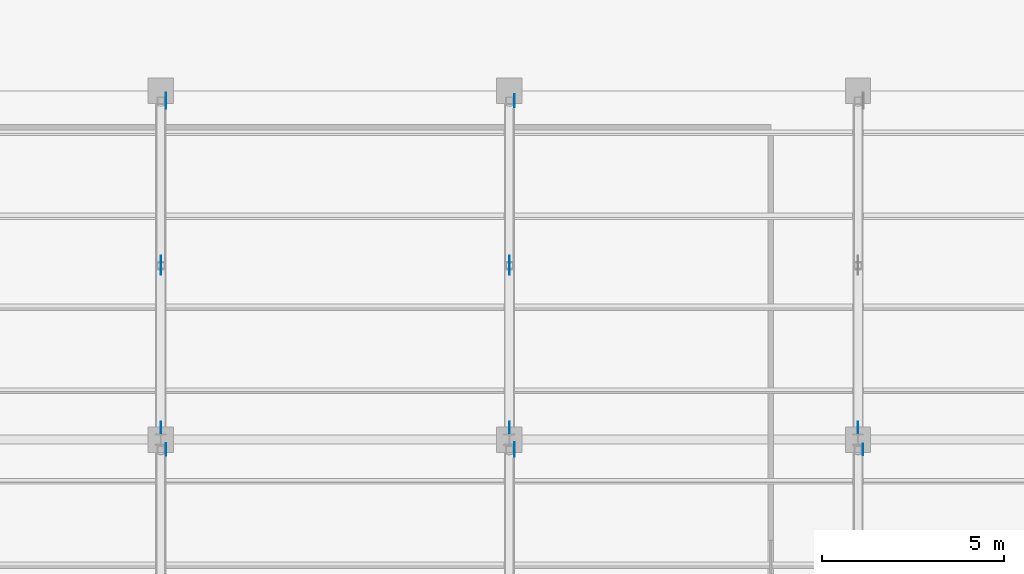
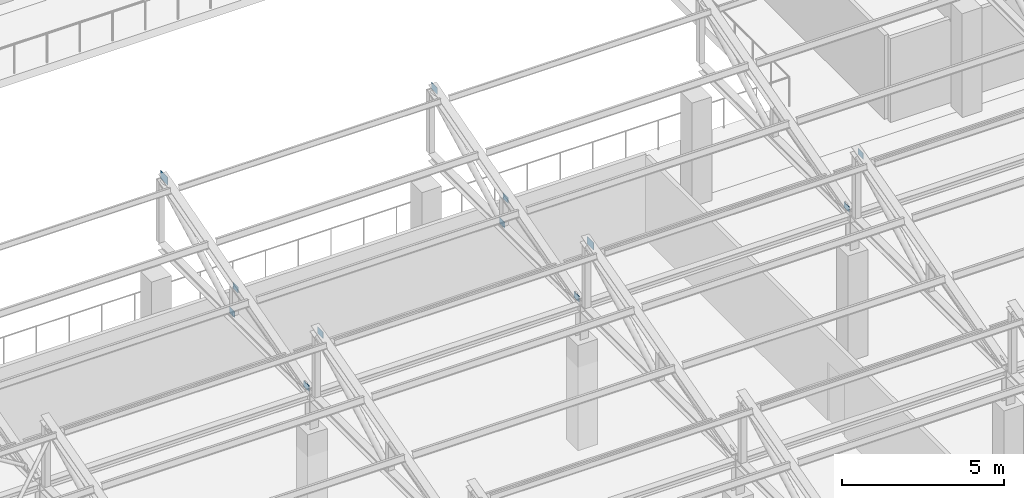
# One storey, part 51 of 71: 12 plates.
"""IFC4 building model written with IfcOpenShell, lengths in metres."""

from ifc_helpers import new_model, si_unit, direction, frame, origin, origin_2d, place, context, subcontext, project, spatial, rectangle, extrude, material, layer, layer_set, type_object, element, save


model = new_model("IFC4")

# Units and contexts
model_context = context("Model", 3, precision=1e-05, world=origin(), true_north=direction((0.0, 1.0)))
body_context = subcontext(model_context, "Body", "Model", "MODEL_VIEW")
ifc_project = project(units=[si_unit("LENGTHUNIT", "METRE"), si_unit("AREAUNIT", "SQUARE_METRE"), si_unit("VOLUMEUNIT", "CUBIC_METRE"), si_unit("PLANEANGLEUNIT", "RADIAN"), si_unit("MASSUNIT", "GRAM", prefix="KILO")], contexts=[model_context])

# Site, building, storey
site_placement = place(None, origin())
site = spatial("IfcSite", under=ifc_project, at=site_placement, CompositionType="ELEMENT")
building_placement = place(site_placement, origin())
building = spatial("IfcBuilding", under=site, at=building_placement, Name="Bempovik Park Faculty of Sciences", CompositionType="ELEMENT")
storey_placement = place(building_placement, frame((0.0, 0.0, 14.10009765625)))
storey = spatial("IfcBuildingStorey", under=building, at=storey_placement, Name="L03", CompositionType="ELEMENT", Elevation=14.10009765625)

# Plates
ifc_material = material(Name="Steel S355", Category="steel")
ifc_layer_1 = layer(ifc_material, 0.01611328125)
ifc_layer_set_1 = layer_set([ifc_layer_1], Name="Steel S355")
plate_type_1 = type_object("IfcPlateType", Name="PL-18 Steel Plate 400x280x16", PredefinedType="SHEET", material=ifc_layer_set_1)
plate_1_placement = place(storey_placement, frame((88.946044921875, 57.929931640625, 7.46435546875), z_axis=(0.0, 0.0, 1.0), x_axis=(1.0, 0.0, 0.0)))
element("IfcPlate", 1, at=plate_1_placement, inside=storey, type_object=plate_type_1, Name="Sawtooth Ridge Gusset Plate V1-B4-88.8", PredefinedType="SHEET", context=body_context, shape_type="SweptSolid", body=[
    extrude(rectangle(XDim=0.01611328125, YDim=0.39990234375, at=origin_2d()), origin(), (0.0, 0.0, 1.0), 0.280029296875),
])
ifc_layer_2 = layer(ifc_material, 0.01611328125)
ifc_layer_set_2 = layer_set([ifc_layer_2], Name="Steel S355")
plate_type_2 = type_object("IfcPlateType", Name="PL-19 Steel Plate 350x240x16", PredefinedType="USERDEFINED", material=ifc_layer_set_2)
plate_2_placement = place(storey_placement, frame((79.345947265625, 57.929931640625, 7.484375), z_axis=(0.0, 0.0, 1.0), x_axis=(1.0, 0.0, 0.0)))
element("IfcPlate", 2, at=plate_2_placement, inside=storey, type_object=plate_type_2, Name="Sawtooth Ridge Gusset Plate V1-B4-79.2", ObjectType="STIFFENER PLATE", PredefinedType="USERDEFINED", context=body_context, shape_type="SweptSolid", body=[
    extrude(rectangle(XDim=0.01611328125, YDim=0.35009765625, at=origin_2d()), origin(), (0.0, 0.0, 1.0), 0.239990234375),
])
ifc_layer_3 = layer(ifc_material, 0.011962890625)
ifc_layer_set_3 = layer_set([ifc_layer_3], Name="Steel S355")
plate_type_3 = type_object("IfcPlateType", Name="PL-26 Steel Plate 320x220x12", PredefinedType="SHEET", material=ifc_layer_set_3)
for number, where, z_axis, x_axis, name in (
    (3, (98.5439453125, 57.929931640625, 7.49462890625), (0.0, 0.0, 1.0), (1.0, 0.0, 0.0), "Sawtooth Ridge Gusset Plate V1-B4-98.4"),
    (4, (79.199951171875, 58.530029296875, 5.17578125), (0.0, 0.0, 1.0), (1.0, 0.0, 0.0), "Brace/Strut End Gusset Plate SAW-V1-B5-D1-792-E1"),
    (5, (79.199951171875, 62.89501953125, 6.228515625), (0.0, 0.0, 1.0), (1.0, 0.0, 0.0), "Brace/Strut End Gusset Plate SAW-V1-B5-D1-792-E2"),
    (6, (79.199951171875, 63.10498046875, 5.17578125), (0.0, 0.0, 1.0), (1.0, 0.0, 0.0), "Brace/Strut End Gusset Plate SAW-V1-B5-D2-792-E1"),
    (7, (88.800048828125, 58.530029296875, 5.17578125), (0.0, 0.0, 1.0), (1.0, 0.0, 0.0), "Brace/Strut End Gusset Plate SAW-V1-B5-D1-888-E1"),
    (8, (88.800048828125, 62.89501953125, 6.228515625), (0.0, 0.0, 1.0), (1.0, 0.0, 0.0), "Brace/Strut End Gusset Plate SAW-V1-B5-D1-888-E2"),
    (9, (88.800048828125, 63.10498046875, 5.17578125), (0.0, 0.0, 1.0), (1.0, 0.0, 0.0), "Brace/Strut End Gusset Plate SAW-V1-B5-D2-888-E1"),
    (10, (98.39990234375, 58.530029296875, 5.17578125), (0.0, 0.0, 1.0), (1.0, 0.0, 0.0), "Brace/Strut End Gusset Plate SAW-V1-B5-D1-984-E1"),
):
    element("IfcPlate", number, at=place(storey_placement, frame(where, z_axis=z_axis, x_axis=x_axis)), inside=storey, type_object=plate_type_3, Name=name, PredefinedType="SHEET", context=body_context, shape_type="SweptSolid", body=[
        extrude(rectangle(XDim=0.011962890625, YDim=0.320068359375, at=origin_2d()), origin(), (0.0, 0.0, 1.0), 0.219970703125),
    ])
ifc_layer_4 = layer(ifc_material, 0.01611328125)
ifc_layer_set_4 = layer_set([ifc_layer_4], Name="Steel S355")
plate_type_4 = type_object("IfcPlateType", Name="PL-33 Steel Plate 440x300x16", PredefinedType="SHEET", material=ifc_layer_set_4)
plate_3_placement = place(storey_placement, frame((79.345947265625, 67.530029296875, 7.45458984375), z_axis=(0.0, 0.0, 1.0), x_axis=(1.0, 0.0, 0.0)))
element("IfcPlate", 11, at=plate_3_placement, inside=storey, type_object=plate_type_4, Name="Sawtooth Ridge Gusset Plate V1-B5-79.2", PredefinedType="SHEET", context=body_context, shape_type="SweptSolid", body=[
    extrude(rectangle(XDim=0.01611328125, YDim=0.43994140625, at=origin_2d()), origin(), (0.0, 0.0, 1.0), 0.300048828125),
])
ifc_layer_5 = layer(ifc_material, 0.013916015625)
ifc_layer_set_5 = layer_set([ifc_layer_5], Name="Steel S355")
plate_type_5 = type_object("IfcPlateType", Name="PL-39 Steel Plate 360x250x14", PredefinedType="SHEET", material=ifc_layer_set_5)
plate_4_placement = place(storey_placement, frame((88.945068359375, 67.530029296875, 7.4794921875), z_axis=(0.0, 0.0, 1.0), x_axis=(1.0, 0.0, 0.0)))
element("IfcPlate", 12, at=plate_4_placement, inside=storey, type_object=plate_type_5, Name="Sawtooth Ridge Gusset Plate V1-B5-88.8", PredefinedType="SHEET", context=body_context, shape_type="SweptSolid", body=[
    extrude(rectangle(XDim=0.013916015625, YDim=0.360107421875, at=origin_2d()), origin(), (0.0, 0.0, 1.0), 0.25),
])

save(model, "model.ifc")
